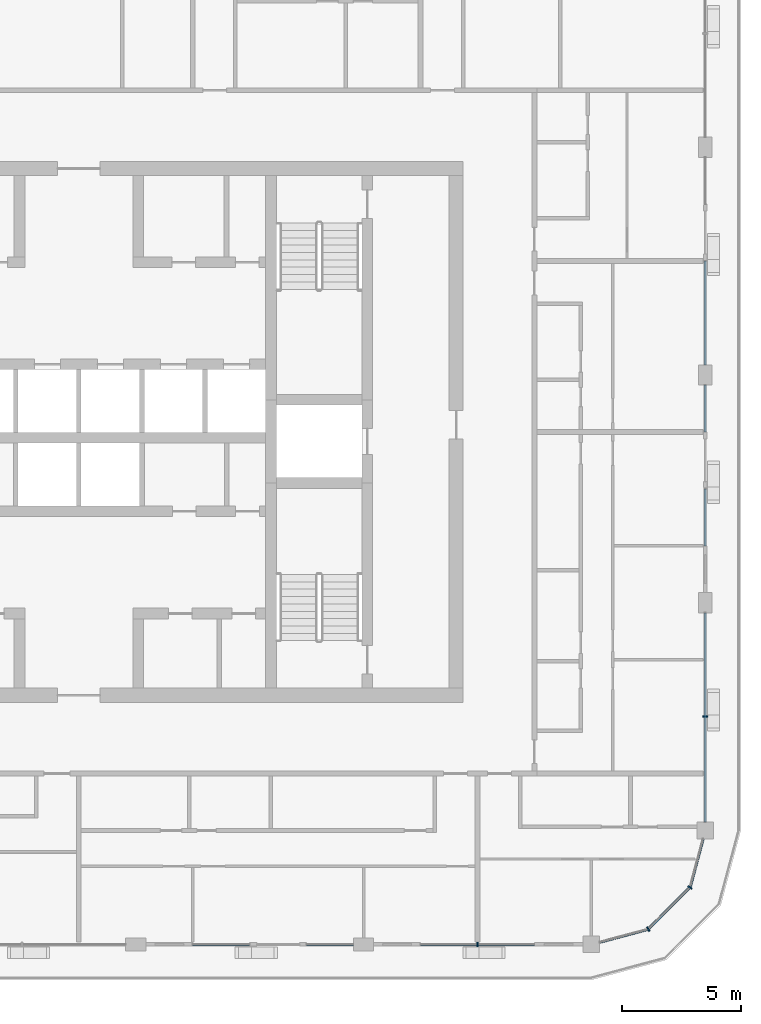
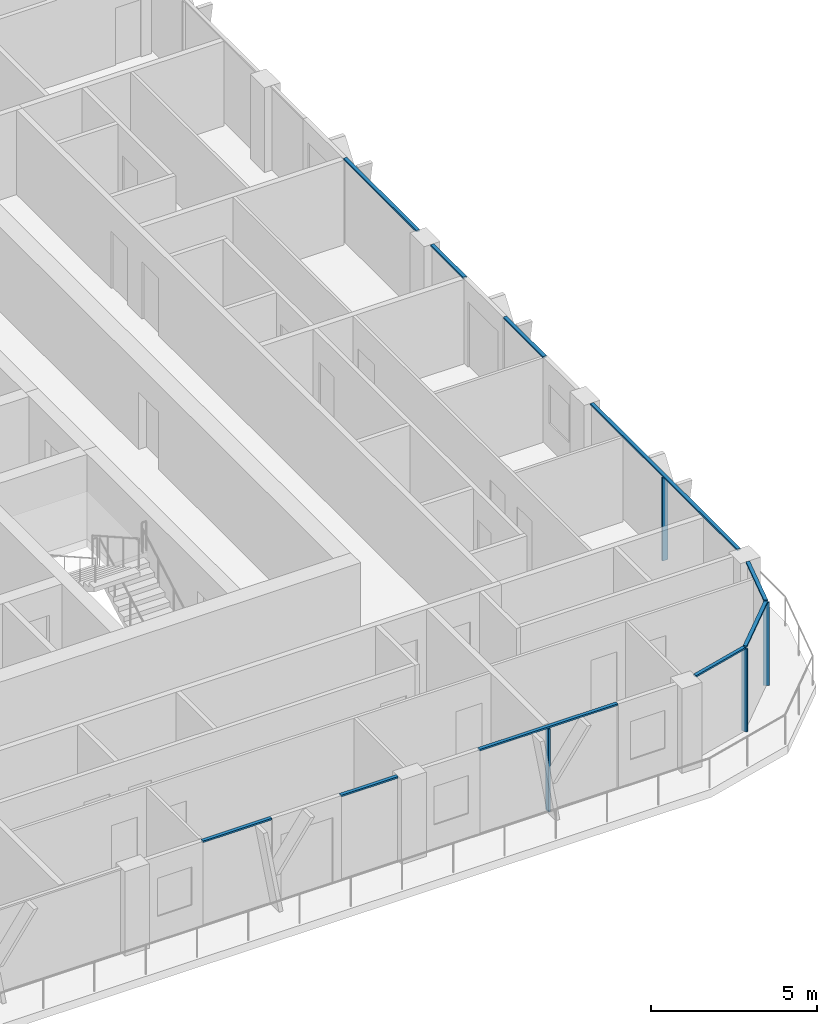
# One storey, part 4 of 22: 14 members, 6 elements without a shape of their own.
"""IFC4 building model written with IfcOpenShell, lengths in metres."""

from ifc_helpers import new_model, si_unit, direction, frame, origin, origin_2d, place, context, subcontext, project, spatial, rectangle, extrude, material, layer, layer_set, material_profile, profile_set, type_object, element, aggregate, save


model = new_model("IFC4")

# Units and contexts
model_context = context("Model", 3, precision=1e-05, world=origin(), true_north=direction((0.0, 1.0)))
body_context = subcontext(model_context, "Body", "Model", "MODEL_VIEW")
ifc_project = project(units=[si_unit("LENGTHUNIT", "METRE"), si_unit("AREAUNIT", "SQUARE_METRE"), si_unit("VOLUMEUNIT", "CUBIC_METRE"), si_unit("PLANEANGLEUNIT", "RADIAN"), si_unit("MASSUNIT", "GRAM", prefix="KILO")], contexts=[model_context])

# Site, building, storey
site_placement = place(None, origin())
site = spatial("IfcSite", under=ifc_project, at=site_placement, CompositionType="ELEMENT")
building_placement = place(site_placement, origin())
building = spatial("IfcBuilding", under=site, at=building_placement, Name="Madar Terraces", CompositionType="ELEMENT")
storey_placement = place(building_placement, frame((0.0, 0.0, 259.699951171875)))
storey = spatial("IfcBuildingStorey", under=building, at=storey_placement, Name="L68", CompositionType="ELEMENT", Elevation=259.699951171875)

# Curtain wall, member
ifc_material_1 = material(Name="Glass, ceramic frit dark grey, with black aluminium frame", Category="aluminium")
ifc_layer = layer(ifc_material_1, 0.199951171875)
ifc_layer_set = layer_set([ifc_layer], Name="Facade curtain wall, fritted glass")
curtain_wall_type = type_object("IfcCurtainWallType", Name="Facade curtain wall, fritted glass", PredefinedType="NOTDEFINED", material=ifc_layer_set)
curtain_wall_1_placement = place(storey_placement, origin())
curtain_wall_1 = element("IfcCurtainWall", 1, at=curtain_wall_1_placement, inside=storey, type_object=curtain_wall_type, Name="Outer skin curtain wall south bay 5", PredefinedType="NOTDEFINED")
ifc_material_2 = material(Name="Aluminium, black anodised", Category="aluminium")
ifc_material_profile_1 = material_profile(ifc_material_2, rectangle(XDim=0.199951171875, YDim=0.06005859375, at=origin_2d()), Name="Facade mullion 60x200")
ifc_profile_set_1 = profile_set([ifc_material_profile_1], Name="Aluminium, black anodised")
member_type_1 = type_object("IfcMemberType", Name="Facade mullion 60x200", PredefinedType="MULLION", material=ifc_profile_set_1)
member_1_placement = place(storey_placement, frame((48.0, 4.800048828125, 0.0), z_axis=(0.0, 0.0, 1.0), x_axis=(0.0, 1.0, 0.0)))
member_1 = element("IfcMember", 2, at=member_1_placement, type_object=member_type_1, Name="Mullion 1", PredefinedType="MULLION", context=body_context, shape_type="SweptSolid", body=[
    extrude(rectangle(XDim=0.199951171875, YDim=0.06005859375, at=origin_2d()), origin(), (0.0, 0.0, 1.0), 3.0400390625),
])

curtain_wall_2_placement = place(storey_placement, origin())
curtain_wall_2 = element("IfcCurtainWall", 3, at=curtain_wall_2_placement, inside=storey, type_object=curtain_wall_type, Name="Outer skin curtain wall east bay 1", PredefinedType="NOTDEFINED")
member_2_placement = place(storey_placement, frame((57.60009765625, 14.39990234375, 0.0), z_axis=(0.0, 0.0, 1.0), x_axis=(-1.0, 0.0, 0.0)))
member_2 = element("IfcMember", 4, at=member_2_placement, type_object=member_type_1, Name="Mullion 1", PredefinedType="MULLION", context=body_context, shape_type="SweptSolid", body=[
    extrude(rectangle(XDim=0.199951171875, YDim=0.06005859375, at=origin_2d()), origin(), (0.0, 0.0, 1.0), 3.0400390625),
])

# Curtain wall, members
curtain_wall_3_placement = place(storey_placement, origin())
curtain_wall_3 = element("IfcCurtainWall", 5, at=curtain_wall_3_placement, inside=storey, type_object=curtain_wall_type, Name="Outer skin curtain wall south-east corner", PredefinedType="NOTDEFINED")
member_3_placement = place(storey_placement, frame((55.199951171875, 5.443115234375, 0.0), z_axis=(0.0, 0.0, 1.0), x_axis=(-0.499999989586, 0.866025409797, 0.0)))
member_3 = element("IfcMember", 6, at=member_3_placement, type_object=member_type_1, Name="Mullion 1", PredefinedType="MULLION", context=body_context, shape_type="SweptSolid", body=[
    extrude(rectangle(XDim=0.199951171875, YDim=0.06005859375, at=origin_2d()), origin(), (0.0, 0.0, 1.0), 3.0400390625),
])
member_4_placement = place(storey_placement, frame((56.95703125, 7.199951171875, 0.0), z_axis=(0.0, 0.0, 1.0), x_axis=(-0.866025409797, 0.499999989586, 0.0)))
member_4 = element("IfcMember", 7, at=member_4_placement, type_object=member_type_1, Name="Mullion 2", PredefinedType="MULLION", context=body_context, shape_type="SweptSolid", body=[
    extrude(rectangle(XDim=0.199951171875, YDim=0.06005859375, at=origin_2d()), origin(), (0.0, 0.0, 1.0), 3.0400390625),
])

curtain_wall_4_placement = place(storey_placement, origin())
curtain_wall_4 = element("IfcCurtainWall", 8, at=curtain_wall_4_placement, inside=storey, type_object=curtain_wall_type, Name="Outer skin curtain wall south bay 4", PredefinedType="NOTDEFINED")
ifc_material_3 = material(Name="Aluminium, black anodised", Category="aluminium")
ifc_material_profile_2 = material_profile(ifc_material_3, rectangle(XDim=0.1201171875, YDim=0.06005859375, at=origin_2d()), Name="Facade transom 60x120")
ifc_profile_set_2 = profile_set([ifc_material_profile_2], Name="Aluminium, black anodised")
member_type_2 = type_object("IfcMemberType", Name="Facade transom 60x120", PredefinedType="USERDEFINED", material=ifc_profile_set_2)
member_5_placement = place(storey_placement, frame((36.0, 4.800048828125, 3.070068359375), z_axis=(1.0, 0.0, 0.0), x_axis=(0.0, 1.0, 0.0)))
member_5 = element("IfcMember", 9, at=member_5_placement, type_object=member_type_2, Name="Transom 1", ObjectType="TRANSOM", PredefinedType="USERDEFINED", context=body_context, shape_type="SweptSolid", body=[
    extrude(rectangle(XDim=0.1201171875, YDim=0.06005859375, at=origin_2d()), origin(), (0.0, 0.0, 1.0), 2.39990234375),
])
member_6_placement = place(storey_placement, frame((40.800048828125, 4.800048828125, 3.070068359375), z_axis=(1.0, 0.0, 0.0), x_axis=(0.0, 1.0, 0.0)))
member_6 = element("IfcMember", 10, at=member_6_placement, type_object=member_type_2, Name="Transom 2", ObjectType="TRANSOM", PredefinedType="USERDEFINED", context=body_context, shape_type="SweptSolid", body=[
    extrude(rectangle(XDim=0.1201171875, YDim=0.06005859375, at=origin_2d()), origin(), (0.0, 0.0, 1.0), 1.974853515625),
])
aggregate(curtain_wall_4, [member_5, member_6])

# Member
member_7_placement = place(storey_placement, frame((45.60009765625, 4.800048828125, 3.070068359375), z_axis=(1.0, 0.0, 0.0), x_axis=(0.0, 1.0, 0.0)))
member_7 = element("IfcMember", 11, at=member_7_placement, type_object=member_type_2, Name="Transom 1", ObjectType="TRANSOM", PredefinedType="USERDEFINED", context=body_context, shape_type="SweptSolid", body=[
    extrude(rectangle(XDim=0.1201171875, YDim=0.06005859375, at=origin_2d()), origin(), (0.0, 0.0, 1.0), 4.7998046875),
])

aggregate(curtain_wall_1, [member_1, member_7])

member_8_placement = place(storey_placement, frame((57.60009765625, 9.949951171875, 3.070068359375), z_axis=(0.0, 1.0, 0.0), x_axis=(-1.0, 0.0, 0.0)))
member_8 = element("IfcMember", 12, at=member_8_placement, type_object=member_type_2, Name="Transom 1", ObjectType="TRANSOM", PredefinedType="USERDEFINED", context=body_context, shape_type="SweptSolid", body=[
    extrude(rectangle(XDim=0.1201171875, YDim=0.06005859375, at=origin_2d()), origin(), (0.0, 0.0, 1.0), 8.824951171875),
])

aggregate(curtain_wall_2, [member_2, member_8])

# Curtain wall, members
curtain_wall_5_placement = place(storey_placement, origin())
curtain_wall_5 = element("IfcCurtainWall", 13, at=curtain_wall_5_placement, inside=storey, type_object=curtain_wall_type, Name="Outer skin curtain wall east bay 2", PredefinedType="NOTDEFINED")
member_9_placement = place(storey_placement, frame((57.60009765625, 21.60009765625, 3.070068359375), z_axis=(0.0, 1.0, 0.0), x_axis=(-1.0, 0.0, 0.0)))
member_9 = element("IfcMember", 14, at=member_9_placement, type_object=member_type_2, Name="Transom 1", ObjectType="TRANSOM", PredefinedType="USERDEFINED", context=body_context, shape_type="SweptSolid", body=[
    extrude(rectangle(XDim=0.1201171875, YDim=0.06005859375, at=origin_2d()), origin(), (0.0, 0.0, 1.0), 2.39990234375),
])
member_10_placement = place(storey_placement, frame((57.60009765625, 26.39990234375, 3.070068359375), z_axis=(0.0, 1.0, 0.0), x_axis=(-1.0, 0.0, 0.0)))
member_10 = element("IfcMember", 15, at=member_10_placement, type_object=member_type_2, Name="Transom 2", ObjectType="TRANSOM", PredefinedType="USERDEFINED", context=body_context, shape_type="SweptSolid", body=[
    extrude(rectangle(XDim=0.1201171875, YDim=0.06005859375, at=origin_2d()), origin(), (0.0, 0.0, 1.0), 1.97509765625),
])
aggregate(curtain_wall_5, [member_9, member_10])

# Curtain wall, member
curtain_wall_6_placement = place(storey_placement, origin())
curtain_wall_6 = element("IfcCurtainWall", 16, at=curtain_wall_6_placement, inside=storey, type_object=curtain_wall_type, Name="Outer skin curtain wall east bay 3", PredefinedType="NOTDEFINED")
member_11_placement = place(storey_placement, frame((57.60009765625, 29.22509765625, 3.070068359375), z_axis=(0.0, 1.0, 0.0), x_axis=(-1.0, 0.0, 0.0)))
member_11 = element("IfcMember", 17, at=member_11_placement, type_object=member_type_2, Name="Transom 1", ObjectType="TRANSOM", PredefinedType="USERDEFINED", context=body_context, shape_type="SweptSolid", body=[
    extrude(rectangle(XDim=0.1201171875, YDim=0.06005859375, at=origin_2d()), origin(), (0.0, 0.0, 1.0), 4.375),
])
aggregate(curtain_wall_6, [member_11])

# Member
member_12_placement = place(storey_placement, frame((53.14990234375, 4.893798828125, 3.070068359375), z_axis=(0.965936074212, 0.258780796304, 0.0), x_axis=(-0.258780796304, 0.965936074212, 0.0)))
member_12 = element("IfcMember", 18, at=member_12_placement, type_object=member_type_2, Name="Transom 1", ObjectType="TRANSOM", PredefinedType="USERDEFINED", context=body_context, shape_type="SweptSolid", body=[
    extrude(rectangle(XDim=0.1201171875, YDim=0.06005859375, at=origin_2d()), origin(), (0.0, 0.0, 1.0), 2.092529296875),
])

member_13_placement = place(storey_placement, frame((55.22119140625, 5.46435546875, 3.070068359375), z_axis=(0.707157125196, 0.707056433593, 0.0), x_axis=(-0.707056433593, 0.707157125196, 0.0)))
member_13 = element("IfcMember", 19, at=member_13_placement, type_object=member_type_2, Name="Transom 2", ObjectType="TRANSOM", PredefinedType="USERDEFINED", context=body_context, shape_type="SweptSolid", body=[
    extrude(rectangle(XDim=0.1201171875, YDim=0.06005859375, at=origin_2d()), origin(), (0.0, 0.0, 1.0), 2.424560546875),
])

member_14_placement = place(storey_placement, frame((56.964599609375, 7.22900390625, 3.070068359375), z_axis=(0.258809963731, 0.965928259589, 0.0), x_axis=(-0.965928259589, 0.258809963731, 0.0)))
member_14 = element("IfcMember", 20, at=member_14_placement, type_object=member_type_2, Name="Transom 3", ObjectType="TRANSOM", PredefinedType="USERDEFINED", context=body_context, shape_type="SweptSolid", body=[
    extrude(rectangle(XDim=0.1201171875, YDim=0.06005859375, at=origin_2d()), origin(), (0.0, 0.0, 1.0), 2.09228515625),
])

aggregate(curtain_wall_3, [member_3, member_12, member_4, member_13, member_14])

save(model, "model.ifc")
